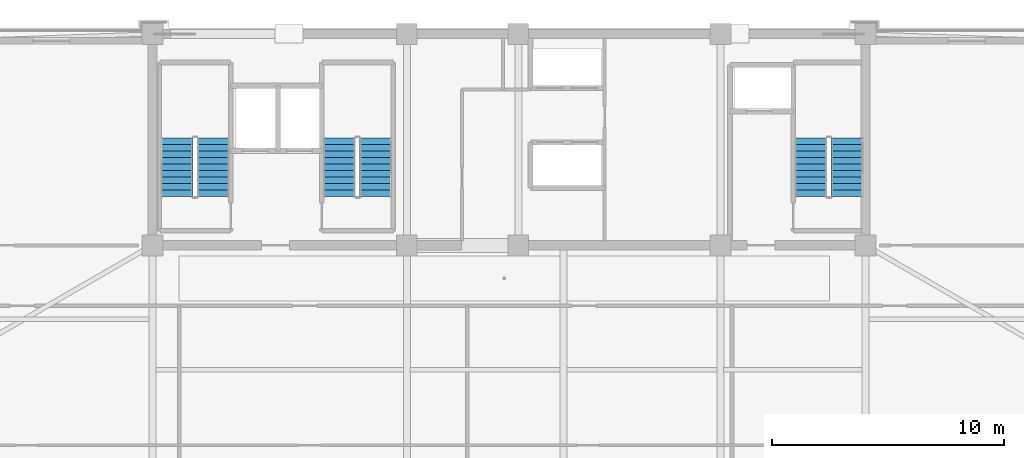
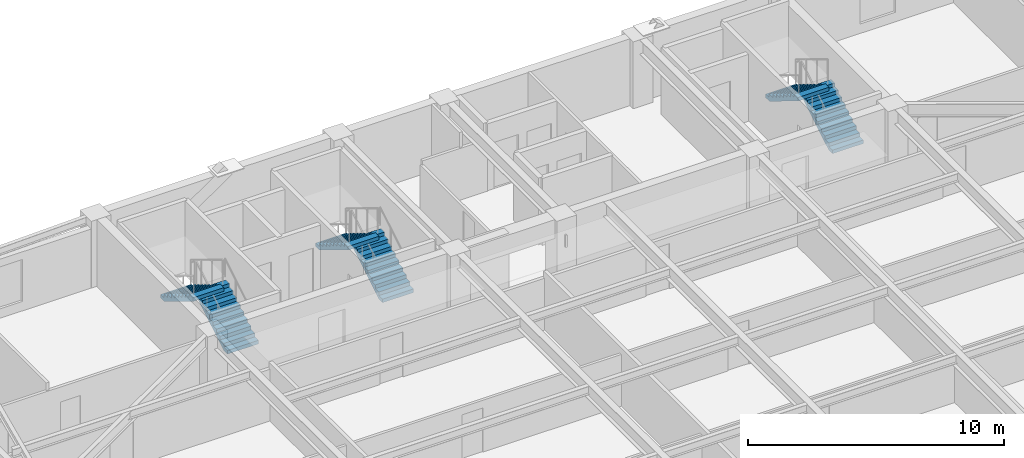
# One storey, part 11 of 18: 6 stair flights, 3 elements without a shape of their own.
"""IFC4 building model written with IfcOpenShell, lengths in metres."""

from ifc_helpers import new_model, si_unit, direction, frame, origin, place, context, subcontext, project, spatial, polyline, outline, extrude, material, type_object, element, aggregate, save


model = new_model("IFC4")

# Units and contexts
model_context = context("Model", 3, precision=1e-05, world=origin(), true_north=direction((0.0, 1.0)))
body_context = subcontext(model_context, "Body", "Model", "MODEL_VIEW")
ifc_project = project(units=[si_unit("LENGTHUNIT", "METRE"), si_unit("AREAUNIT", "SQUARE_METRE"), si_unit("VOLUMEUNIT", "CUBIC_METRE"), si_unit("PLANEANGLEUNIT", "RADIAN"), si_unit("MASSUNIT", "GRAM", prefix="KILO")], contexts=[model_context])

# Site, building, storey
site_placement = place(None, origin())
site = spatial("IfcSite", under=ifc_project, at=site_placement, CompositionType="ELEMENT")
building_placement = place(site_placement, origin())
building = spatial("IfcBuilding", under=site, at=building_placement, Name="Giltprow Tower", CompositionType="ELEMENT")
storey_placement = place(building_placement, frame((0.0, 0.0, 258.699951171875)))
storey = spatial("IfcBuildingStorey", under=building, at=storey_placement, Name="L66", CompositionType="ELEMENT", Elevation=258.699951171875)

# Stair, stair flights
ifc_material = material(Name="Concrete C40", Category="concrete")
stair_type_1 = type_object("IfcStairType", Name="STR-ST-1", PredefinedType="HALF_TURN_STAIR", material=ifc_material)
stair_1_placement = place(storey_placement, origin())
stair_1 = element("IfcStair", 1, at=stair_1_placement, inside=storey, type_object=stair_type_1, Name="L66 Core Exit Stair ST-1", PredefinedType="HALF_TURN_STAIR")
stair_flight_type_1 = type_object("IfcStairFlightType", Name="SFL-ST-1", PredefinedType="STRAIGHT", material=ifc_material)
stair_flight_1_placement = place(storey_placement, frame((22.4599609375, 39.550048828125, 0.0), z_axis=(0.0, 0.0, 1.0), x_axis=(0.0, 1.0, 0.0)))
stair_flight_1 = element("IfcStairFlight", 2, at=stair_flight_1_placement, type_object=stair_flight_type_1, Name="ST-1 flight 1", NumberOfRisers=10, NumberOfTreads=9, PredefinedType="STRAIGHT", RiserHeight=0.17, TreadLength=0.28, context=body_context, shape_type="SweptSolid", body=[
    extrude(outline(polyline([(0.0, 0.0), (0.0, 0.169921875), (0.280029296875, 0.169921875), (0.280029296875, 0.340087890625), (0.56005859375, 0.340087890625), (0.56005859375, 0.510009765625), (0.840087890625, 0.510009765625), (0.840087890625, 0.679931640625), (1.1201171875, 0.679931640625), (1.1201171875, 0.85009765625), (1.39990234375, 0.85009765625), (1.39990234375, 1.02001953125), (1.679931640625, 1.02001953125), (1.679931640625, 1.18994140625), (1.9599609375, 1.18994140625), (1.9599609375, 1.360107421875), (2.239990234375, 1.360107421875), (2.239990234375, 1.530029296875), (2.52001953125, 1.530029296875), (2.52001953125, 1.699951171875), (2.52001953125, 1.354736328125), (0.288818359375, 0.0), (0.0, 0.0)])), frame((0.0, 0.699951171875, 0.0), z_axis=(0.0, -1.0, 0.0), x_axis=(1.0, 0.0, 0.0)), (0.0, 0.0, 1.0), 1.39990234375),
])
stair_flight_2_placement = place(storey_placement, frame((20.89990234375, 42.070068359375, 1.699951171875), z_axis=(0.0, 0.0, 1.0), x_axis=(0.0, -1.0, 0.0)))
stair_flight_2 = element("IfcStairFlight", 3, at=stair_flight_2_placement, type_object=stair_flight_type_1, Name="ST-1 flight 2", NumberOfRisers=10, NumberOfTreads=9, PredefinedType="STRAIGHT", RiserHeight=0.17, TreadLength=0.28, context=body_context, shape_type="SweptSolid", body=[
    extrude(outline(polyline([(0.0, 0.0), (0.0, 0.169921875), (0.280029296875, 0.169921875), (0.280029296875, 0.340087890625), (0.56005859375, 0.340087890625), (0.56005859375, 0.510009765625), (0.840087890625, 0.510009765625), (0.840087890625, 0.679931640625), (1.1201171875, 0.679931640625), (1.1201171875, 0.85009765625), (1.39990234375, 0.85009765625), (1.39990234375, 1.02001953125), (1.679931640625, 1.02001953125), (1.679931640625, 1.18994140625), (1.9599609375, 1.18994140625), (1.9599609375, 1.360107421875), (2.239990234375, 1.360107421875), (2.239990234375, 1.530029296875), (2.52001953125, 1.530029296875), (2.52001953125, 1.699951171875), (2.52001953125, 1.354736328125), (0.288818359375, 0.0), (0.0, 0.0)])), frame((0.0, 0.699951171875, 0.0), z_axis=(0.0, -1.0, 0.0), x_axis=(1.0, 0.0, 0.0)), (0.0, 0.0, 1.0), 1.39990234375),
])
aggregate(stair_1, [stair_flight_1, stair_flight_2])

stair_type_2 = type_object("IfcStairType", Name="STR-ST-2", PredefinedType="HALF_TURN_STAIR", material=ifc_material)
stair_2_placement = place(storey_placement, origin())
stair_2 = element("IfcStair", 4, at=stair_2_placement, inside=storey, type_object=stair_type_2, Name="L66 Core Exit Stair ST-2", PredefinedType="HALF_TURN_STAIR")
stair_flight_type_2 = type_object("IfcStairFlightType", Name="SFL-ST-2", PredefinedType="STRAIGHT", material=ifc_material)
stair_flight_3_placement = place(storey_placement, frame((29.4599609375, 39.550048828125, 0.0), z_axis=(0.0, 0.0, 1.0), x_axis=(0.0, 1.0, 0.0)))
stair_flight_3 = element("IfcStairFlight", 5, at=stair_flight_3_placement, type_object=stair_flight_type_2, Name="ST-2 flight 1", NumberOfRisers=10, NumberOfTreads=9, PredefinedType="STRAIGHT", RiserHeight=0.17, TreadLength=0.28, context=body_context, shape_type="SweptSolid", body=[
    extrude(outline(polyline([(0.0, 0.0), (0.0, 0.169921875), (0.280029296875, 0.169921875), (0.280029296875, 0.340087890625), (0.56005859375, 0.340087890625), (0.56005859375, 0.510009765625), (0.840087890625, 0.510009765625), (0.840087890625, 0.679931640625), (1.1201171875, 0.679931640625), (1.1201171875, 0.85009765625), (1.39990234375, 0.85009765625), (1.39990234375, 1.02001953125), (1.679931640625, 1.02001953125), (1.679931640625, 1.18994140625), (1.9599609375, 1.18994140625), (1.9599609375, 1.360107421875), (2.239990234375, 1.360107421875), (2.239990234375, 1.530029296875), (2.52001953125, 1.530029296875), (2.52001953125, 1.699951171875), (2.52001953125, 1.354736328125), (0.288818359375, 0.0), (0.0, 0.0)])), frame((0.0, 0.699951171875, 0.0), z_axis=(0.0, -1.0, 0.0), x_axis=(1.0, 0.0, 0.0)), (0.0, 0.0, 1.0), 1.39990234375),
])
stair_flight_4_placement = place(storey_placement, frame((27.89990234375, 42.070068359375, 1.699951171875), z_axis=(0.0, 0.0, 1.0), x_axis=(0.0, -1.0, 0.0)))
stair_flight_4 = element("IfcStairFlight", 6, at=stair_flight_4_placement, type_object=stair_flight_type_2, Name="ST-2 flight 2", NumberOfRisers=10, NumberOfTreads=9, PredefinedType="STRAIGHT", RiserHeight=0.17, TreadLength=0.28, context=body_context, shape_type="SweptSolid", body=[
    extrude(outline(polyline([(0.0, 0.0), (0.0, 0.169921875), (0.280029296875, 0.169921875), (0.280029296875, 0.340087890625), (0.56005859375, 0.340087890625), (0.56005859375, 0.510009765625), (0.840087890625, 0.510009765625), (0.840087890625, 0.679931640625), (1.1201171875, 0.679931640625), (1.1201171875, 0.85009765625), (1.39990234375, 0.85009765625), (1.39990234375, 1.02001953125), (1.679931640625, 1.02001953125), (1.679931640625, 1.18994140625), (1.9599609375, 1.18994140625), (1.9599609375, 1.360107421875), (2.239990234375, 1.360107421875), (2.239990234375, 1.530029296875), (2.52001953125, 1.530029296875), (2.52001953125, 1.699951171875), (2.52001953125, 1.354736328125), (0.288818359375, 0.0), (0.0, 0.0)])), frame((0.0, 0.699951171875, 0.0), z_axis=(0.0, -1.0, 0.0), x_axis=(1.0, 0.0, 0.0)), (0.0, 0.0, 1.0), 1.39990234375),
])
aggregate(stair_2, [stair_flight_3, stair_flight_4])

stair_type_3 = type_object("IfcStairType", Name="STR-ST-3", PredefinedType="HALF_TURN_STAIR", material=ifc_material)
stair_3_placement = place(storey_placement, origin())
stair_3 = element("IfcStair", 7, at=stair_3_placement, inside=storey, type_object=stair_type_3, Name="L66 Core Exit Stair ST-3", PredefinedType="HALF_TURN_STAIR")
stair_flight_type_3 = type_object("IfcStairFlightType", Name="SFL-ST-3", PredefinedType="STRAIGHT", material=ifc_material)
stair_flight_5_placement = place(storey_placement, frame((49.760009765625, 39.550048828125, 0.0), z_axis=(0.0, 0.0, 1.0), x_axis=(0.0, 1.0, 0.0)))
stair_flight_5 = element("IfcStairFlight", 8, at=stair_flight_5_placement, type_object=stair_flight_type_3, Name="ST-3 flight 1", NumberOfRisers=10, NumberOfTreads=9, PredefinedType="STRAIGHT", RiserHeight=0.17, TreadLength=0.28, context=body_context, shape_type="SweptSolid", body=[
    extrude(outline(polyline([(0.0, 0.0), (0.0, 0.169921875), (0.280029296875, 0.169921875), (0.280029296875, 0.340087890625), (0.56005859375, 0.340087890625), (0.56005859375, 0.510009765625), (0.840087890625, 0.510009765625), (0.840087890625, 0.679931640625), (1.1201171875, 0.679931640625), (1.1201171875, 0.85009765625), (1.39990234375, 0.85009765625), (1.39990234375, 1.02001953125), (1.679931640625, 1.02001953125), (1.679931640625, 1.18994140625), (1.9599609375, 1.18994140625), (1.9599609375, 1.360107421875), (2.239990234375, 1.360107421875), (2.239990234375, 1.530029296875), (2.52001953125, 1.530029296875), (2.52001953125, 1.699951171875), (2.52001953125, 1.354736328125), (0.288818359375, 0.0), (0.0, 0.0)])), frame((0.0, 0.699951171875, 0.0), z_axis=(0.0, -1.0, 0.0), x_axis=(1.0, 0.0, 0.0)), (0.0, 0.0, 1.0), 1.39990234375),
])
stair_flight_6_placement = place(storey_placement, frame((48.199951171875, 42.070068359375, 1.699951171875), z_axis=(0.0, 0.0, 1.0), x_axis=(0.0, -1.0, 0.0)))
stair_flight_6 = element("IfcStairFlight", 9, at=stair_flight_6_placement, type_object=stair_flight_type_3, Name="ST-3 flight 2", NumberOfRisers=10, NumberOfTreads=9, PredefinedType="STRAIGHT", RiserHeight=0.17, TreadLength=0.28, context=body_context, shape_type="SweptSolid", body=[
    extrude(outline(polyline([(0.0, 0.0), (0.0, 0.169921875), (0.280029296875, 0.169921875), (0.280029296875, 0.340087890625), (0.56005859375, 0.340087890625), (0.56005859375, 0.510009765625), (0.840087890625, 0.510009765625), (0.840087890625, 0.679931640625), (1.1201171875, 0.679931640625), (1.1201171875, 0.85009765625), (1.39990234375, 0.85009765625), (1.39990234375, 1.02001953125), (1.679931640625, 1.02001953125), (1.679931640625, 1.18994140625), (1.9599609375, 1.18994140625), (1.9599609375, 1.360107421875), (2.239990234375, 1.360107421875), (2.239990234375, 1.530029296875), (2.52001953125, 1.530029296875), (2.52001953125, 1.699951171875), (2.52001953125, 1.354736328125), (0.288818359375, 0.0), (0.0, 0.0)])), frame((0.0, 0.699951171875, 0.0), z_axis=(0.0, -1.0, 0.0), x_axis=(1.0, 0.0, 0.0)), (0.0, 0.0, 1.0), 1.39990234375),
])
aggregate(stair_3, [stair_flight_5, stair_flight_6])

save(model, "model.ifc")
